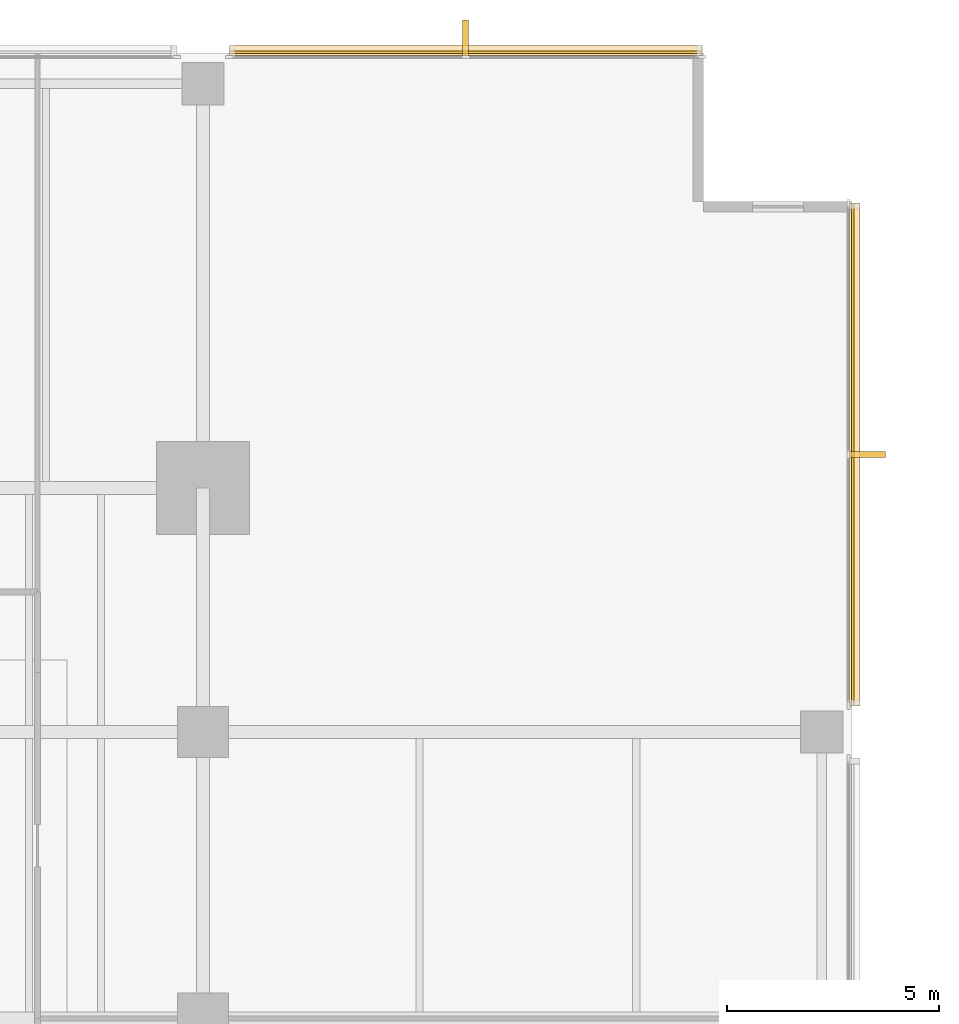
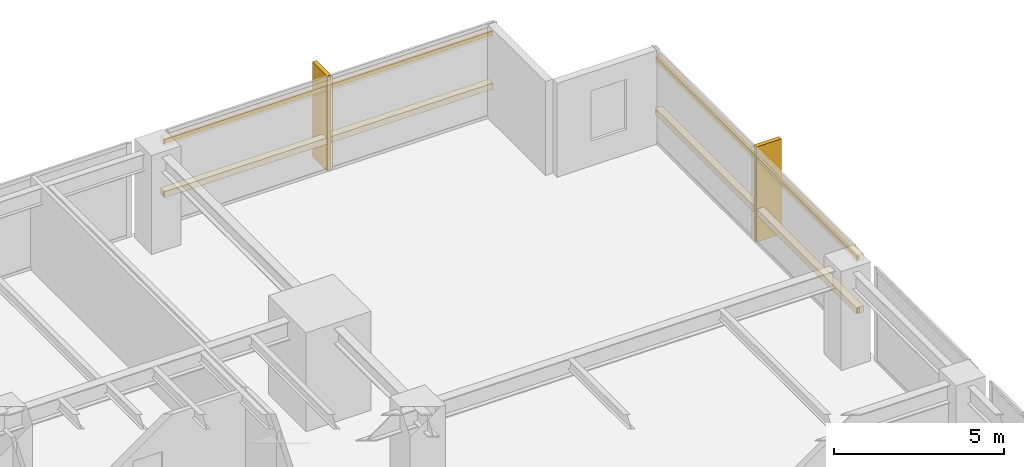
# One storey, part 15 of 15: 6 coverings, 4 shading devices.
"""IFC4 building model written with IfcOpenShell, lengths in metres."""

import ifcopenshell
import ifcopenshell.guid

model = None  # the IFC model being written
_history = None  # IfcOwnerHistory: only IFC2X3 demands one
_inside = {}  # id of a spatial element -> (the spatial element, [elements in it])
_under = {}  # id of a project, library or spatial element -> (it, [spatial elements below it])
_declared = {}  # id of a project -> (the project, [libraries it declares])
_typed = {}  # id of a type object -> (the type object, [elements of that type])
_made_of = {}  # id of a material, layer set ... -> (it, [elements and type objects made of it])


def new_model(schema):
    """Start an empty IFC model of exactly this schema.

    Asked for "IFC4X3", IfcOpenShell would pick the latest addendum, in which some entities
    have other attributes; the version numbers below select the first issue.
    IFC2X3 requires an IfcOwnerHistory on every rooted entity: one is made here for all.
    """
    global model, _history
    if schema == "IFC4X3":
        model = ifcopenshell.file(schema_version=(4, 3, 0, 0))
    else:
        model = ifcopenshell.file(schema=schema)
    _inside.clear()
    _under.clear()
    _declared.clear()
    _typed.clear()
    _made_of.clear()
    _history = None
    if model.schema == "IFC2X3":
        org = make("IfcOrganization", Name="unknown")
        user = make(
            "IfcPersonAndOrganization",
            ThePerson=make("IfcPerson", FamilyName="unknown"),
            TheOrganization=org,
        )
        app = make(
            "IfcApplication",
            ApplicationDeveloper=org,
            Version="unknown",
            ApplicationFullName="unknown",
            ApplicationIdentifier="unknown",
        )
        _history = make(
            "IfcOwnerHistory",
            OwningUser=user,
            OwningApplication=app,
            ChangeAction="ADDED",
            CreationDate=0,
        )
    return model


def make(cls, **values):
    """One entity of the class cls with the attributes given. An attribute that is None is left unset."""
    return model.create_entity(
        cls, **{name: value for name, value in values.items() if value is not None}
    )


def rooted(cls, **values):
    """An entity with a GlobalId (a new one), such as an element, a storey or a relation."""
    return make(cls, GlobalId=ifcopenshell.guid.new(), OwnerHistory=_history, **values)


def si_unit(unit_type, name, prefix=None):
    """IfcSIUnit, for example si_unit("LENGTHUNIT", "METRE", prefix="MILLI")."""
    return make("IfcSIUnit", UnitType=unit_type, Prefix=prefix, Name=name)


def assignment(units):
    """IfcUnitAssignment: the units of a project."""
    return None if units is None else make("IfcUnitAssignment", Units=units)


def point(xyz):
    """IfcCartesianPoint."""
    return None if xyz is None else make("IfcCartesianPoint", Coordinates=xyz)


def direction(xyz):
    """IfcDirection."""
    return None if xyz is None else make("IfcDirection", DirectionRatios=xyz)


def frame(location, z_axis=None, x_axis=None):
    """IfcAxis2Placement3D, a coordinate frame: its origin and axes. An axis left out is left unset."""
    return make(
        "IfcAxis2Placement3D",
        Location=point(location),
        Axis=direction(z_axis),
        RefDirection=direction(x_axis),
    )


def frame_2d(location, x_axis=None):
    """IfcAxis2Placement2D, a coordinate frame in the plane: its origin and x axis."""
    return make(
        "IfcAxis2Placement2D", Location=point(location), RefDirection=direction(x_axis)
    )


def origin():
    """The frame at (0, 0, 0) with its axes left unset."""
    return frame((0.0, 0.0, 0.0))


def origin_2d():
    """The frame at (0, 0) in the plane with its x axis left unset."""
    return frame_2d((0.0, 0.0))


def place(relative_to, where):
    """IfcLocalPlacement: puts the frame where relative to a parent placement (None: the world)."""
    return make(
        "IfcLocalPlacement", PlacementRelTo=relative_to, RelativePlacement=where
    )


def context(
    kind, dimensions, precision=None, world=None, true_north=None, identifier=None
):
    """IfcGeometricRepresentationContext, for example the 3D "Model" context."""
    return make(
        "IfcGeometricRepresentationContext",
        ContextIdentifier=identifier,
        ContextType=kind,
        CoordinateSpaceDimension=dimensions,
        Precision=precision,
        WorldCoordinateSystem=world,
        TrueNorth=true_north,
    )


def subcontext(parent, identifier, kind, view, scale=None):
    """IfcGeometricRepresentationSubContext, for example "Body" below "Model"."""
    return make(
        "IfcGeometricRepresentationSubContext",
        ContextIdentifier=identifier,
        ContextType=kind,
        ParentContext=parent,
        TargetScale=scale,
        TargetView=view,
    )


def project(units=None, contexts=None):
    """IfcProject with its units and contexts."""
    return rooted(
        "IfcProject",
        Name="project",
        RepresentationContexts=contexts,
        UnitsInContext=assignment(units),
    )


def spatial(cls, under=None, at=None, **own):
    """A site, building, storey or space (cls), placed at a placement, below another one or the project."""
    s = rooted(cls, ObjectPlacement=at, **own)
    if under is not None:
        _under.setdefault(under.id(), (under, []))[1].append(s)
    return s


def polyline(points):
    """IfcPolyline through the points."""
    return make("IfcPolyline", Points=[point(p) for p in points])


def profile(cls, at=None, kind="AREA", **sizes):
    """A parametric profile (cls). Its sizes go by their IFC names, for example OverallWidth=200.0."""
    return make(cls, ProfileType=kind, Position=at, **sizes)


def rectangle(**sizes):
    """IfcRectangleProfileDef."""
    return profile("IfcRectangleProfileDef", **sizes)


def outline(outer, holes=None, kind="AREA"):
    """IfcArbitraryClosedProfileDef: a profile drawn as a closed curve; with holes, ...WithVoids."""
    if holes is None:
        return make("IfcArbitraryClosedProfileDef", ProfileType=kind, OuterCurve=outer)
    return make(
        "IfcArbitraryProfileDefWithVoids",
        ProfileType=kind,
        OuterCurve=outer,
        InnerCurves=holes,
    )


def extrude(swept, where, along, depth):
    """IfcExtrudedAreaSolid: the profile swept, set in the frame where, extruded along a direction by depth."""
    return make(
        "IfcExtrudedAreaSolid",
        SweptArea=swept,
        Position=where,
        ExtrudedDirection=direction(along),
        Depth=depth,
    )


def shape(context_of_items, identifier, shape_type, items):
    """IfcShapeRepresentation: the items that make up one representation, for example the "Body"."""
    return make(
        "IfcShapeRepresentation",
        ContextOfItems=context_of_items,
        RepresentationIdentifier=identifier,
        RepresentationType=shape_type,
        Items=items,
    )


def material(Name=None, Category=None):
    """IfcMaterial."""
    return make("IfcMaterial", Name=Name, Category=Category)


def layer(
    of_material, thickness, ventilated=None, Name=None, Category=None, Priority=None
):
    """IfcMaterialLayer: one layer of a wall or slab, of a material (None: an air gap)."""
    return make(
        "IfcMaterialLayer",
        Material=of_material,
        LayerThickness=thickness,
        IsVentilated=ventilated,
        Name=Name,
        Category=Category,
        Priority=Priority,
    )


def layer_set(layers, Name=None):
    """IfcMaterialLayerSet."""
    return make("IfcMaterialLayerSet", MaterialLayers=layers, LayerSetName=Name)


def material_profile(
    of_material, cross_section, Name=None, Category=None, Priority=None
):
    """IfcMaterialProfile: a cross section and its material."""
    return make(
        "IfcMaterialProfile",
        Name=Name,
        Material=of_material,
        Profile=cross_section,
        Priority=Priority,
        Category=Category,
    )


def profile_set(profiles, Name=None, composite=None):
    """IfcMaterialProfileSet."""
    return make(
        "IfcMaterialProfileSet",
        Name=Name,
        MaterialProfiles=profiles,
        CompositeProfile=composite,
    )


def made_of(thing, what):
    """Note that an element or type object is made of a material, layer set ...; save() writes the relation."""
    if what is not None:
        _made_of.setdefault(what.id(), (what, []))[1].append(thing)
    return thing


def type_object(cls, material=None, **own):
    """A type object (cls), such as IfcWallType, which elements share."""
    return made_of(rooted(cls, **own), material)


def element(
    cls,
    number,
    at=None,
    inside=None,
    cuts=None,
    type_object=None,
    material=None,
    context=None,
    identifier="Body",
    shape_type=None,
    held_by="IfcProductDefinitionShape",
    body=None,
    shapes=None,
    **own,
):
    """One element of the class cls, such as IfcWall. Its Tag is "e" and its number.

    at: its placement. inside: the storey or other place that contains it. cuts: it is an
    opening in that element (IfcRelVoidsElement). A single representation is given by context,
    identifier, shape_type and body (its items); several are given by shapes. held_by: the class
    of the entity that holds the representations. save() writes the other relations.
    """
    e = rooted(cls, Tag="e%d" % number, ObjectPlacement=at, **own)
    if body is not None:
        shapes = [shape(context, identifier, shape_type, body)]
    if shapes is not None:
        e.Representation = make(held_by, Representations=shapes)
    if inside is not None:
        _inside.setdefault(inside.id(), (inside, []))[1].append(e)
    if cuts is not None:
        rooted(
            "IfcRelVoidsElement", RelatingBuildingElement=cuts, RelatedOpeningElement=e
        )
    if type_object is not None:
        _typed.setdefault(type_object.id(), (type_object, []))[1].append(e)
    return made_of(e, material)


def aggregate(whole, parts):
    """IfcRelAggregates: a whole, such as a stair, and the parts it consists of."""
    return rooted("IfcRelAggregates", RelatingObject=whole, RelatedObjects=parts)


def save(model, path):
    """Write the relations noted so far, then the file.

    IfcRelAggregates (storeys below a building ...), IfcRelContainedInSpatialStructure (elements
    in a storey), IfcRelDefinesByType, IfcRelAssociatesMaterial and IfcRelDeclares: one each for
    every whole, place, type object, material and project.
    """
    for whole, parts in _under.values():
        aggregate(whole, parts)
    for where, things in _inside.values():
        rooted(
            "IfcRelContainedInSpatialStructure",
            RelatedElements=things,
            RelatingStructure=where,
        )
    for kind, things in _typed.values():
        rooted("IfcRelDefinesByType", RelatedObjects=things, RelatingType=kind)
    for what, things in _made_of.values():
        rooted("IfcRelAssociatesMaterial", RelatedObjects=things, RelatingMaterial=what)
    for by, libraries in _declared.values():
        rooted("IfcRelDeclares", RelatingContext=by, RelatedDefinitions=libraries)
    model.write(path)


model = new_model("IFC4")

# Units and contexts
model_context = context("Model", 3, precision=1e-05, world=origin(), true_north=direction((0.0, 1.0)))
body_context = subcontext(model_context, "Body", "Model", "MODEL_VIEW")
ifc_project = project(units=[si_unit("LENGTHUNIT", "METRE"), si_unit("AREAUNIT", "SQUARE_METRE"), si_unit("VOLUMEUNIT", "CUBIC_METRE"), si_unit("PLANEANGLEUNIT", "RADIAN"), si_unit("MASSUNIT", "GRAM", prefix="KILO")], contexts=[model_context])

# Site, building, storey
site_placement = place(None, origin())
site = spatial("IfcSite", under=ifc_project, at=site_placement, CompositionType="ELEMENT")
building_placement = place(site_placement, origin())
building = spatial("IfcBuilding", under=site, at=building_placement, Name="Kinhvarn Gate Tower", CompositionType="ELEMENT")
storey_placement = place(building_placement, frame((0.0, 0.0, 43.35009765625)))
storey = spatial("IfcBuildingStorey", under=building, at=storey_placement, Name="L10", CompositionType="ELEMENT", Elevation=43.35009765625)

# Coverings
ifc_material = material(Name="Fired architectural terracotta", Category="masonry")
ifc_layer_1 = layer(ifc_material, 0.239990234375)
ifc_layer_set_1 = layer_set([ifc_layer_1], Name="Fired architectural terracotta")
covering_type_1 = type_object("IfcCoveringType", Name="COV-BAG-220", PredefinedType="CLADDING", material=ifc_layer_set_1)
for number, where, name in (
    (1, (0.0, 0.0, 0.93994140625), "Terracotta Horizontal Sunscreen Band TBG-220 (L10)"),
    (2, (0.0, 0.0, 2.809814453125), "Terracotta Horizontal Sunscreen Band TBG-220 (L10)"),
):
    element("IfcCovering", number, at=place(storey_placement, frame(where)), inside=storey, type_object=covering_type_1, Name=name, PredefinedType="CLADDING", context=body_context, shape_type="SweptSolid", body=[
        extrude(outline(polyline([(49.9599609375, 47.93994140625), (38.820068359375, 47.93994140625), (38.820068359375, 48.179931640625), (49.9599609375, 48.179931640625), (49.9599609375, 47.93994140625)])), origin(), (0.0, 0.0, 1.0), 0.219970703125),
    ])
for number, where, name in (
    (3, (0.0, 0.0, 0.93994140625), "Terracotta Horizontal Sunscreen Band TBG-220 (L10)"),
    (4, (0.0, 0.0, 2.809814453125), "Terracotta Horizontal Sunscreen Band TBG-220 (L10)"),
):
    element("IfcCovering", number, at=place(storey_placement, frame(where)), inside=storey, type_object=covering_type_1, Name=name, PredefinedType="CLADDING", context=body_context, shape_type="SweptSolid", body=[
        extrude(outline(polyline([(53.43994140625, 32.6201171875), (53.43994140625, 44.4599609375), (53.679931640625, 44.4599609375), (53.679931640625, 32.6201171875), (53.43994140625, 32.6201171875)])), origin(), (0.0, 0.0, 1.0), 0.219970703125),
    ])
ifc_layer_2 = layer(ifc_material, 0.139892578125)
ifc_layer_set_2 = layer_set([ifc_layer_2], Name="Fired architectural terracotta")
covering_type_2 = type_object("IfcCoveringType", Name="COV-FIN-850", PredefinedType="CLADDING", material=ifc_layer_set_2)
covering_1_placement = place(storey_placement, frame((0.0, 0.0, -0.02001953125)))
element("IfcCovering", 5, at=covering_1_placement, inside=storey, type_object=covering_type_2, Name="Vertical Terracotta Expressive Fin TFN-850 (L10)", PredefinedType="CLADDING", context=body_context, shape_type="SweptSolid", body=[
    extrude(outline(polyline([(44.4599609375, 47.929931640625), (44.320068359375, 47.929931640625), (44.320068359375, 48.780029296875), (44.4599609375, 48.780029296875), (44.4599609375, 47.929931640625)])), origin(), (0.0, 0.0, 1.0), 3.409912109375),
])
covering_2_placement = place(storey_placement, frame((0.0, 0.0, -0.02001953125)))
element("IfcCovering", 6, at=covering_2_placement, inside=storey, type_object=covering_type_2, Name="Vertical Terracotta Expressive Fin TFN-850 (L10)", PredefinedType="CLADDING", context=body_context, shape_type="SweptSolid", body=[
    extrude(outline(polyline([(53.429931640625, 38.469970703125), (53.429931640625, 38.610107421875), (54.280029296875, 38.610107421875), (54.280029296875, 38.469970703125), (53.429931640625, 38.469970703125)])), origin(), (0.0, 0.0, 1.0), 3.409912109375),
])

# Shading devices
ifc_material_profile = material_profile(ifc_material, rectangle(XDim=0.06005859375, YDim=0.139892578125, at=origin_2d()), Name="TC 60x140")
ifc_profile_set = profile_set([ifc_material_profile], Name="Fired architectural terracotta")
shading_device_type = type_object("IfcShadingDeviceType", Name="SHD-BAG-180", PredefinedType="USERDEFINED", material=ifc_profile_set)
for number, where, z_axis, x_axis, name in (
    (7, (49.9599609375, 48.014892578125, 1.0498046875), (-1.0, 0.0, 0.0), (0.0, -1.0, 0.0), "Fired Terracotta Baguette Screen Rod 60x140 mm (L10)"),
    (8, (49.9599609375, 48.014892578125, 2.919921875), (-1.0, 0.0, 0.0), (0.0, -1.0, 0.0), "Fired Terracotta Baguette Screen Rod 60x140 mm (L10)"),
):
    element("IfcShadingDevice", number, at=place(storey_placement, frame(where, z_axis=z_axis, x_axis=x_axis)), inside=storey, type_object=shading_device_type, Name=name, ObjectType="BAGUETTE", PredefinedType="USERDEFINED", context=body_context, shape_type="SweptSolid", body=[
        extrude(rectangle(XDim=0.06005859375, YDim=0.139892578125, at=origin_2d()), origin(), (0.0, 0.0, 1.0), 11.139892578125),
    ])
for number, where, z_axis, x_axis, name in (
    (9, (53.514892578125, 32.6201171875, 1.0498046875), (0.0, 1.0, 0.0), (-1.0, 0.0, 0.0), "Fired Terracotta Baguette Screen Rod 60x140 mm (L10)"),
    (10, (53.514892578125, 32.6201171875, 2.919921875), (0.0, 1.0, 0.0), (-1.0, 0.0, 0.0), "Fired Terracotta Baguette Screen Rod 60x140 mm (L10)"),
):
    element("IfcShadingDevice", number, at=place(storey_placement, frame(where, z_axis=z_axis, x_axis=x_axis)), inside=storey, type_object=shading_device_type, Name=name, ObjectType="BAGUETTE", PredefinedType="USERDEFINED", context=body_context, shape_type="SweptSolid", body=[
        extrude(rectangle(XDim=0.06005859375, YDim=0.139892578125, at=origin_2d()), origin(), (0.0, 0.0, 1.0), 11.83984375),
    ])

save(model, "model.ifc")
